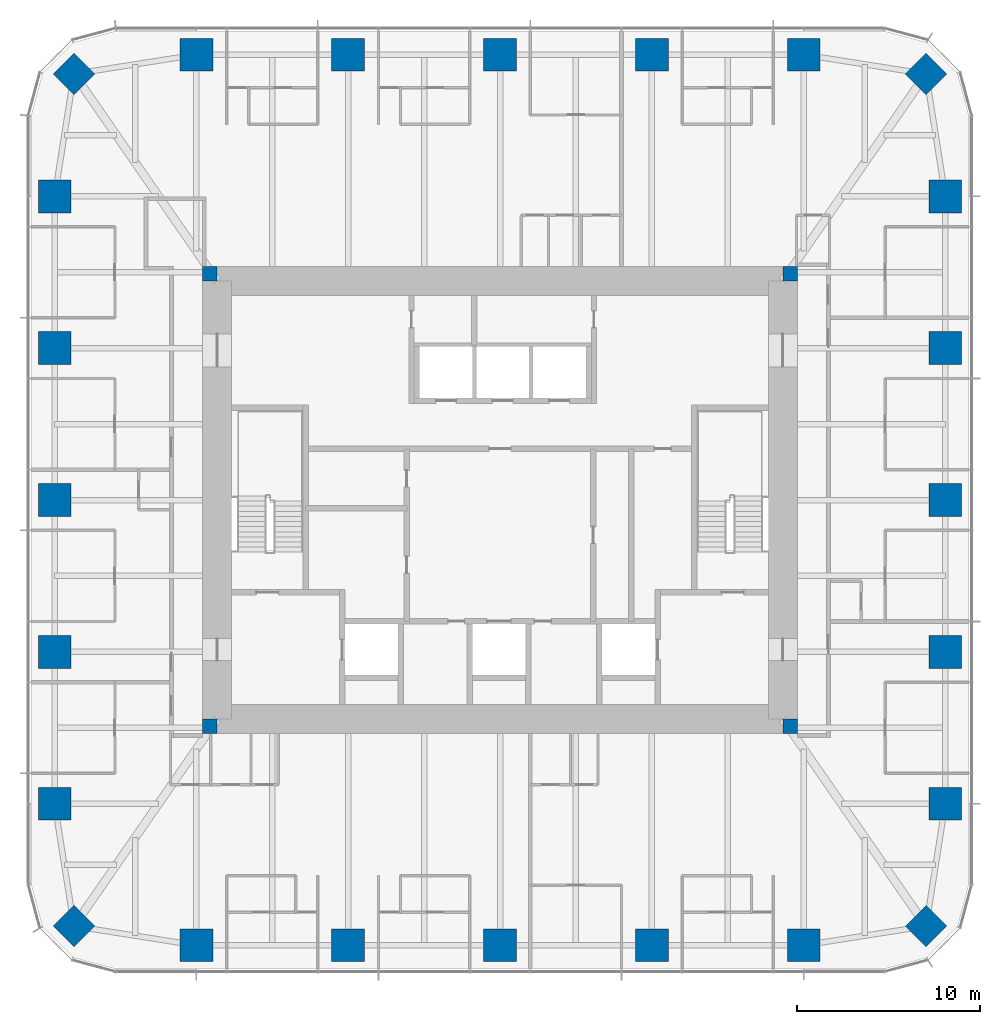
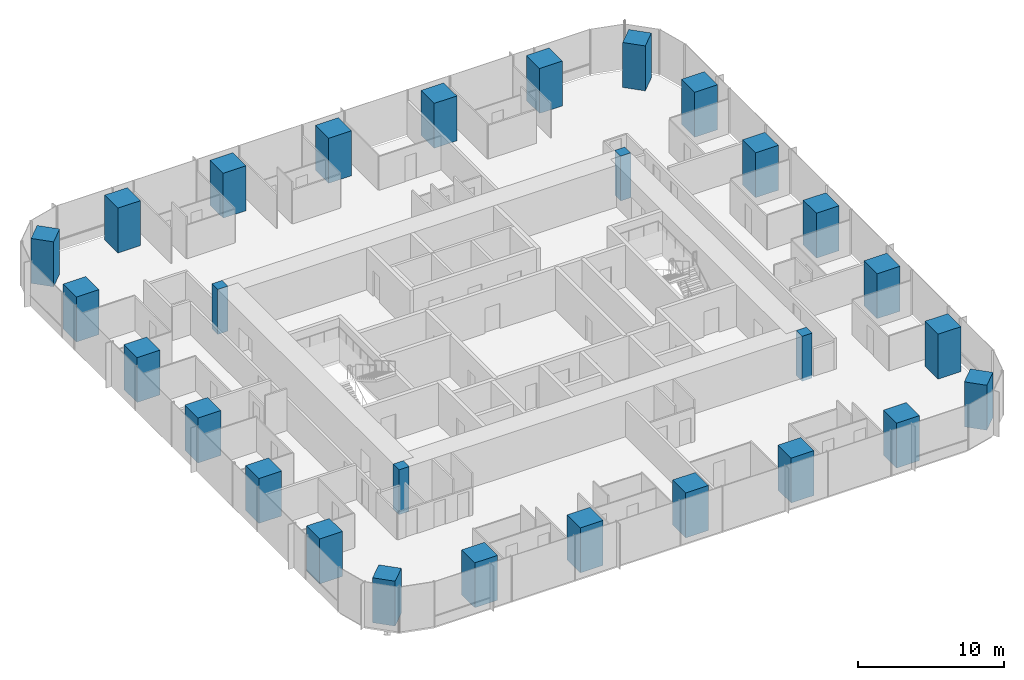
# One storey, part 1 of 13: 28 columns.
"""IFC4 building model written with IfcOpenShell, lengths in metres."""

from ifc_helpers import new_model, si_unit, direction, frame, origin, origin_2d, place, context, subcontext, project, spatial, rectangle, extrude, material, material_profile, profile_set, type_object, element, save


model = new_model("IFC4")

# Units and contexts
model_context = context("Model", 3, precision=1e-05, world=origin(), true_north=direction((0.0, 1.0)))
body_context = subcontext(model_context, "Body", "Model", "MODEL_VIEW")
ifc_project = project(units=[si_unit("LENGTHUNIT", "METRE"), si_unit("AREAUNIT", "SQUARE_METRE"), si_unit("VOLUMEUNIT", "CUBIC_METRE"), si_unit("PLANEANGLEUNIT", "RADIAN"), si_unit("MASSUNIT", "GRAM", prefix="KILO")], contexts=[model_context])

# Site, building, storey
site_placement = place(None, origin())
site = spatial("IfcSite", under=ifc_project, at=site_placement, CompositionType="ELEMENT")
building_placement = place(site_placement, origin())
building = spatial("IfcBuilding", under=site, at=building_placement, Name="Khuree Lantern Residences", CompositionType="ELEMENT")
storey_placement = place(building_placement, frame((0.0, 0.0, 248.25)))
storey = spatial("IfcBuildingStorey", under=building, at=storey_placement, Name="L62", CompositionType="ELEMENT", Elevation=248.25)

# Columns
ifc_material_1 = material(Name="Concrete C70/85", Category="concrete")
ifc_material_profile_1 = material_profile(ifc_material_1, rectangle(XDim=1.60009765625, YDim=1.60009765625, at=origin_2d()), Name="RC 1600X1600")
ifc_profile_set_1 = profile_set([ifc_material_profile_1], Name="Concrete C70/85")
column_type_1 = type_object("IfcColumnType", Name="CC1600A PERIMETER CORNER COLUMN RC 1600X1600", PredefinedType="COLUMN", material=ifc_profile_set_1)
for number, where, z_axis, x_axis, name in (
    (1, (23.345703125, 23.345703125, 0.0), (0.0, 0.0, 1.0), (0.707106781187, -0.707106781187, 0.0), "Perimeter column NE"),
    (2, (23.345703125, -23.345703125, 0.0), (0.0, 0.0, 1.0), (0.707106781187, 0.707106781187, 0.0), "Perimeter column SE"),
    (3, (-23.345703125, -23.345703125, 0.0), (0.0, 0.0, 1.0), (0.707106781187, -0.707106781187, 0.0), "Perimeter column SW"),
    (4, (-23.345703125, 23.345703125, 0.0), (0.0, 0.0, 1.0), (0.707106781187, 0.707106781187, 0.0), "Perimeter column NW"),
):
    element("IfcColumn", number, at=place(storey_placement, frame(where, z_axis=z_axis, x_axis=x_axis)), inside=storey, type_object=column_type_1, Name=name, PredefinedType="COLUMN", context=body_context, shape_type="SweptSolid", body=[
        extrude(rectangle(XDim=1.60009765625, YDim=1.60009765625, at=origin_2d()), origin(), (0.0, 0.0, 1.0), 3.75),
    ])
ifc_material_2 = material(Name="Concrete C50/60", Category="concrete")
ifc_material_profile_2 = material_profile(ifc_material_2, rectangle(XDim=0.800048828125, YDim=0.800048828125, at=origin_2d()), Name="RC 800X800")
ifc_profile_set_2 = profile_set([ifc_material_profile_2], Name="Concrete C50/60")
column_type_2 = type_object("IfcColumnType", Name="CP800-C50 CORE CORNER PIER C50 RC 800X800", PredefinedType="COLUMN", material=ifc_profile_set_2)
for number, where, z_axis, x_axis, name in (
    (5, (15.89990234375, 12.39990234375, -0.25), (0.0, 0.0, 1.0), (1.0, 0.0, 0.0), "Core corner pier NE"),
    (6, (-15.89990234375, 12.39990234375, -0.25), (0.0, 0.0, 1.0), (1.0, 0.0, 0.0), "Core corner pier NW"),
    (7, (-15.89990234375, -12.39990234375, -0.25), (0.0, 0.0, 1.0), (1.0, 0.0, 0.0), "Core corner pier SW"),
    (8, (15.89990234375, -12.39990234375, -0.25), (0.0, 0.0, 1.0), (1.0, 0.0, 0.0), "Core corner pier SE"),
):
    element("IfcColumn", number, at=place(storey_placement, frame(where, z_axis=z_axis, x_axis=x_axis)), inside=storey, type_object=column_type_2, Name=name, PredefinedType="COLUMN", context=body_context, shape_type="SweptSolid", body=[
        extrude(rectangle(XDim=0.800048828125, YDim=0.800048828125, at=origin_2d()), origin(), (0.0, 0.0, 1.0), 3.75),
    ])
ifc_material_profile_3 = material_profile(ifc_material_1, rectangle(XDim=1.800048828125, YDim=1.800048828125, at=origin_2d()), Name="RC 1800X1800")
ifc_profile_set_3 = profile_set([ifc_material_profile_3], Name="Concrete C70/85")
column_type_3 = type_object("IfcColumnType", Name="PC4 PERIMETER COLUMN RC 1800X1800", PredefinedType="COLUMN", material=ifc_profile_set_3)
for number, where, z_axis, x_axis, name in (
    (9, (-16.639892578125, 24.39990234375, 0.0), (0.0, 0.0, 1.0), (1.0, 0.0, 0.0), "Perimeter column N1"),
    (10, (-8.320068359375, 24.39990234375, 0.0), (0.0, 0.0, 1.0), (1.0, 0.0, 0.0), "Perimeter column N2"),
    (11, (0.0, 24.39990234375, 0.0), (0.0, 0.0, 1.0), (1.0, 0.0, 0.0), "Perimeter column N3"),
    (12, (8.320068359375, 24.39990234375, 0.0), (0.0, 0.0, 1.0), (1.0, 0.0, 0.0), "Perimeter column N4"),
    (13, (16.639892578125, 24.39990234375, 0.0), (0.0, 0.0, 1.0), (1.0, 0.0, 0.0), "Perimeter column N5"),
    (14, (24.39990234375, 16.639892578125, 0.0), (0.0, 0.0, 1.0), (0.0, 1.0, 0.0), "Perimeter column E1"),
    (15, (24.39990234375, 8.320068359375, 0.0), (0.0, 0.0, 1.0), (0.0, 1.0, 0.0), "Perimeter column E2"),
    (16, (24.39990234375, 0.0, 0.0), (0.0, 0.0, 1.0), (0.0, 1.0, 0.0), "Perimeter column E3"),
    (17, (24.39990234375, -8.320068359375, 0.0), (0.0, 0.0, 1.0), (0.0, 1.0, 0.0), "Perimeter column E4"),
    (18, (24.39990234375, -16.639892578125, 0.0), (0.0, 0.0, 1.0), (0.0, 1.0, 0.0), "Perimeter column E5"),
    (19, (16.639892578125, -24.39990234375, 0.0), (0.0, 0.0, 1.0), (1.0, 0.0, 0.0), "Perimeter column S1"),
    (20, (8.320068359375, -24.39990234375, 0.0), (0.0, 0.0, 1.0), (1.0, 0.0, 0.0), "Perimeter column S2"),
    (21, (0.0, -24.39990234375, 0.0), (0.0, 0.0, 1.0), (1.0, 0.0, 0.0), "Perimeter column S3"),
    (22, (-8.320068359375, -24.39990234375, 0.0), (0.0, 0.0, 1.0), (1.0, 0.0, 0.0), "Perimeter column S4"),
    (23, (-16.639892578125, -24.39990234375, 0.0), (0.0, 0.0, 1.0), (1.0, 0.0, 0.0), "Perimeter column S5"),
    (24, (-24.39990234375, -16.639892578125, 0.0), (0.0, 0.0, 1.0), (0.0, 1.0, 0.0), "Perimeter column W1"),
    (25, (-24.39990234375, -8.320068359375, 0.0), (0.0, 0.0, 1.0), (0.0, 1.0, 0.0), "Perimeter column W2"),
    (26, (-24.39990234375, 0.0, 0.0), (0.0, 0.0, 1.0), (0.0, 1.0, 0.0), "Perimeter column W3"),
    (27, (-24.39990234375, 8.320068359375, 0.0), (0.0, 0.0, 1.0), (0.0, 1.0, 0.0), "Perimeter column W4"),
    (28, (-24.39990234375, 16.639892578125, 0.0), (0.0, 0.0, 1.0), (0.0, 1.0, 0.0), "Perimeter column W5"),
):
    element("IfcColumn", number, at=place(storey_placement, frame(where, z_axis=z_axis, x_axis=x_axis)), inside=storey, type_object=column_type_3, Name=name, PredefinedType="COLUMN", context=body_context, shape_type="SweptSolid", body=[
        extrude(rectangle(XDim=1.800048828125, YDim=1.800048828125, at=origin_2d()), origin(), (0.0, 0.0, 1.0), 3.75),
    ])

save(model, "model.ifc")
